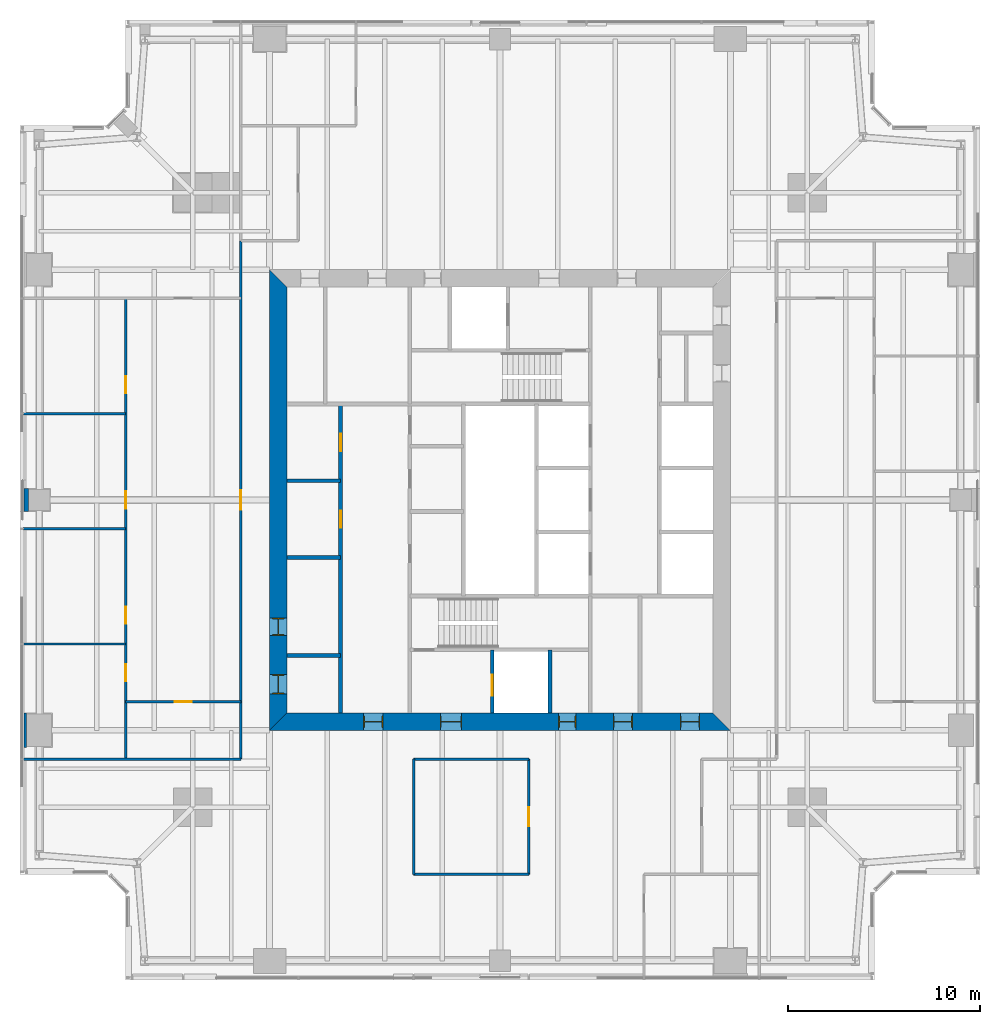
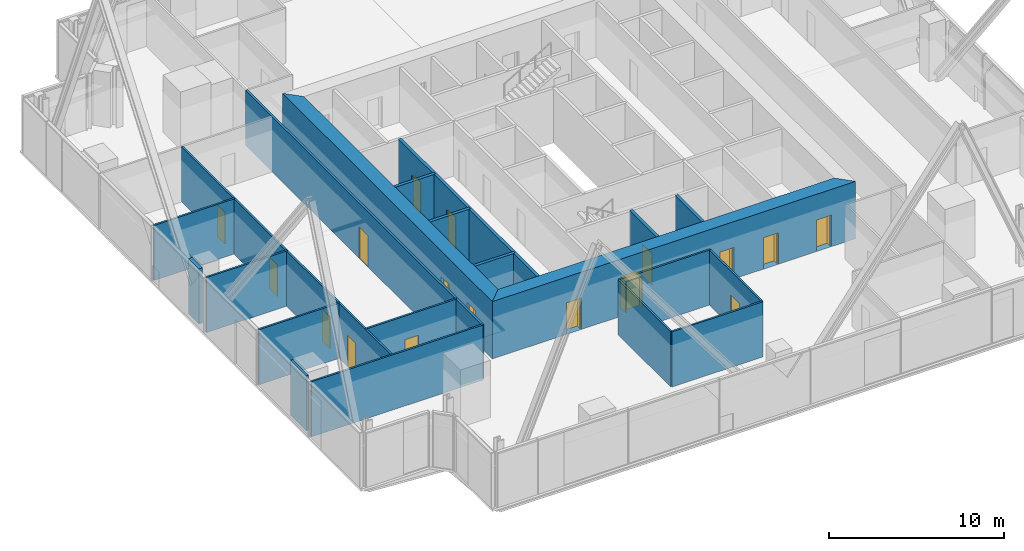
# One storey, part 9 of 14: 21 walls, 17 doors, 17 openings.
"""IFC4 building model written with IfcOpenShell, lengths in metres."""

from ifc_helpers import new_model, si_unit, direction, frame, frame_2d, origin, place, context, subcontext, project, spatial, polyline, rectangle, outline, extrude, material, layer, layer_set, type_object, element, fill, save


model = new_model("IFC4")

# Units and contexts
model_context = context("Model", 3, precision=1e-05, world=origin(), true_north=direction((0.0, 1.0)))
body_context = subcontext(model_context, "Body", "Model", "MODEL_VIEW")
ifc_project = project(units=[si_unit("LENGTHUNIT", "METRE"), si_unit("AREAUNIT", "SQUARE_METRE"), si_unit("VOLUMEUNIT", "CUBIC_METRE"), si_unit("PLANEANGLEUNIT", "RADIAN"), si_unit("MASSUNIT", "GRAM", prefix="KILO")], contexts=[model_context])

# Site, building, storey
site_placement = place(None, origin())
site = spatial("IfcSite", under=ifc_project, at=site_placement, CompositionType="ELEMENT")
building_placement = place(site_placement, origin())
building = spatial("IfcBuilding", under=site, at=building_placement, Name="Fenwick Lantern Interchange", CompositionType="ELEMENT")
storey_placement = place(building_placement, frame((0.0, 0.0, 217.800048828125)))
storey = spatial("IfcBuildingStorey", under=building, at=storey_placement, Name="L51", CompositionType="ELEMENT", Elevation=217.800048828125)

# Walls
ifc_material_1 = material(Name="Fire-rated gypsum board encasement on steel studs, 2 hour", Category="steel")
ifc_layer_1 = layer(ifc_material_1, 1.199951171875)
ifc_layer_set_1 = layer_set([ifc_layer_1], Name="COLUMN PIER 1200")
wall_type_1 = type_object("IfcWallType", Name="COLUMN PIER 1200", PredefinedType="PARTITIONING", material=ifc_layer_set_1)
wall_1_placement = place(storey_placement, frame((0.199951171875, 25.0, 0.0), z_axis=(0.0, 0.0, 1.0), x_axis=(1.0, 0.0, 0.0)))
element("IfcWall", 1, at=wall_1_placement, inside=storey, type_object=wall_type_1, Name="L51/W/PIER/CW3", PredefinedType="PARTITIONING", context=body_context, shape_type="SweptSolid", body=[
    extrude(rectangle(XDim=0.25, YDim=1.199951171875, at=frame_2d((0.125, 0.0))), origin(), (0.0, 0.0, 1.0), 3.849853515625),
])
ifc_layer_2 = layer(ifc_material_1, 1.800048828125)
ifc_layer_set_2 = layer_set([ifc_layer_2], Name="COLUMN PIER 1800")
wall_type_2 = type_object("IfcWallType", Name="COLUMN PIER 1800", PredefinedType="PARTITIONING", material=ifc_layer_set_2)
wall_2_placement = place(storey_placement, frame((0.199951171875, 13.0, 0.0), z_axis=(0.0, 0.0, 1.0), x_axis=(1.0, 0.0, 0.0)))
element("IfcWall", 2, at=wall_2_placement, inside=storey, type_object=wall_type_2, Name="L51/W/PIER/CW4", PredefinedType="PARTITIONING", context=body_context, shape_type="SweptSolid", body=[
    extrude(rectangle(XDim=0.150146484375, YDim=1.800048828125, at=frame_2d((0.0751953125, 0.0))), origin(), (0.0, 0.0, 1.0), 3.849853515625),
])

# Wall, openings, doors
ifc_material_2 = material(Name="Concrete masonry ASTM C90 Grade N", Category="masonry")
ifc_layer_3 = layer(ifc_material_2, 0.199951171875)
ifc_layer_set_3 = layer_set([ifc_layer_3], Name="Concrete masonry ASTM C90 Grade N")
wall_type_3 = type_object("IfcWallType", Name="CORE PARTITION 200", PredefinedType="PARTITIONING", material=ifc_layer_set_3)
wall_3_placement = place(storey_placement, frame((16.699951171875, 13.89990234375, 0.0), z_axis=(0.0, 0.0, 1.0), x_axis=(0.0, 1.0, 0.0)))
wall_3 = element("IfcWall", 3, at=wall_3_placement, inside=storey, type_object=wall_type_3, Name="L51/W/CORES/a", PredefinedType="PARTITIONING", context=body_context, shape_type="SweptSolid", body=[
    extrude(rectangle(XDim=16.10009765625, YDim=0.199951171875, at=frame_2d((8.050048828125, 0.0))), origin(), (0.0, 0.0, 1.0), 3.800048828125),
])
opening_1_placement = place(wall_3_placement, frame((9.64990234375, 0.0, 0.0)))
opening_1 = element("IfcOpeningElement", 4, at=opening_1_placement, cuts=wall_3, Name="Opening L51-D009", PredefinedType="OPENING", context=body_context, shape_type="SweptSolid", body=[
    extrude(rectangle(XDim=0.89990234375, YDim=2.199951171875, at=frame_2d((0.449951171875, 1.10009765625))), frame((0.0, 0.10986328125, 0.0), z_axis=(0.0, -1.0, 0.0), x_axis=(1.0, 0.0, 0.0)), (0.0, 0.0, 1.0), 0.219970703125),
])
opening_2_placement = place(wall_3_placement, frame((13.64990234375, 0.0, 0.0)))
opening_2 = element("IfcOpeningElement", 5, at=opening_2_placement, cuts=wall_3, Name="Opening L51-D010", PredefinedType="OPENING", context=body_context, shape_type="SweptSolid", body=[
    extrude(rectangle(XDim=0.89990234375, YDim=2.199951171875, at=frame_2d((0.449951171875, 1.10009765625))), frame((0.0, 0.10986328125, 0.0), z_axis=(0.0, -1.0, 0.0), x_axis=(1.0, 0.0, 0.0)), (0.0, 0.0, 1.0), 0.219970703125),
])
ifc_material_3 = material(Name="Steel door and frame", Category="steel")
door_type_1 = type_object("IfcDoorType", Name="SERVICE DOOR 900 X 2200", OperationType="SINGLE_SWING_LEFT", PredefinedType="DOOR", material=ifc_material_3)
door_1_placement = place(opening_1_placement, origin())
door_1 = element("IfcDoor", 6, at=door_1_placement, inside=storey, type_object=door_type_1, Name="Service door", OperationType="SINGLE_SWING_LEFT", OverallHeight=2.199951171875, OverallWidth=0.89990234375, PredefinedType="DOOR", context=body_context, shape_type="SweptSolid", body=[
    extrude(rectangle(XDim=0.89990234375, YDim=2.199951171875, at=frame_2d((0.449951171875, 1.10009765625))), frame((0.0, 0.02490234375, 0.0), z_axis=(0.0, -1.0, 0.0), x_axis=(1.0, 0.0, 0.0)), (0.0, 0.0, 1.0), 0.050048828125),
])
fill(opening_1, door_1)
door_2_placement = place(opening_2_placement, origin())
door_2 = element("IfcDoor", 7, at=door_2_placement, inside=storey, type_object=door_type_1, Name="Service door", OperationType="SINGLE_SWING_LEFT", OverallHeight=2.199951171875, OverallWidth=0.89990234375, PredefinedType="DOOR", context=body_context, shape_type="SweptSolid", body=[
    extrude(rectangle(XDim=0.89990234375, YDim=2.199951171875, at=frame_2d((0.449951171875, 1.10009765625))), frame((0.0, 0.02490234375, 0.0), z_axis=(0.0, -1.0, 0.0), x_axis=(1.0, 0.0, 0.0)), (0.0, 0.0, 1.0), 0.050048828125),
])
fill(opening_2, door_2)

# Wall, opening, door
wall_4_placement = place(storey_placement, frame((24.60009765625, 13.89990234375, 0.0), z_axis=(0.0, 0.0, 1.0), x_axis=(0.0, 1.0, 0.0)))
wall_4 = element("IfcWall", 8, at=wall_4_placement, inside=storey, type_object=wall_type_3, Name="L51/W/CORES/h1", PredefinedType="PARTITIONING", context=body_context, shape_type="SweptSolid", body=[
    extrude(rectangle(XDim=3.300048828125, YDim=0.199951171875, at=frame_2d((1.64990234375, 0.0))), origin(), (0.0, 0.0, 1.0), 3.800048828125),
])
opening_3_placement = place(wall_4_placement, frame((0.89990234375, 0.0, 0.0)))
opening_3 = element("IfcOpeningElement", 9, at=opening_3_placement, cuts=wall_4, Name="Opening LD-FL1", PredefinedType="OPENING", context=body_context, shape_type="SweptSolid", body=[
    extrude(rectangle(XDim=1.10009765625, YDim=2.199951171875, at=frame_2d((0.550048828125, 1.10009765625))), frame((0.0, 0.10986328125, 0.0), z_axis=(0.0, -1.0, 0.0), x_axis=(1.0, 0.0, 0.0)), (0.0, 0.0, 1.0), 0.219970703125),
])
door_type_2 = type_object("IfcDoorType", Name="LIFT LANDING DOOR 1100 X 2200", OperationType="DOUBLE_DOOR_SLIDING", PredefinedType="DOOR", material=ifc_material_3)
door_3_placement = place(opening_3_placement, origin())
door_3 = element("IfcDoor", 10, at=door_3_placement, inside=storey, type_object=door_type_2, Name="Lift landing door FL1", OperationType="DOUBLE_DOOR_SLIDING", OverallHeight=2.199951171875, OverallWidth=1.10009765625, PredefinedType="DOOR", context=body_context, shape_type="SweptSolid", body=[
    extrude(rectangle(XDim=1.10009765625, YDim=2.199951171875, at=frame_2d((0.550048828125, 1.10009765625))), frame((0.0, 0.02490234375, 0.0), z_axis=(0.0, -1.0, 0.0), x_axis=(1.0, 0.0, 0.0)), (0.0, 0.0, 1.0), 0.050048828125),
])
fill(opening_3, door_3)

# Walls
wall_5_placement = place(storey_placement, frame((27.60009765625, 13.89990234375, 0.0), z_axis=(0.0, 0.0, 1.0), x_axis=(0.0, 1.0, 0.0)))
element("IfcWall", 11, at=wall_5_placement, inside=storey, type_object=wall_type_3, Name="L51/W/CORES/h2", PredefinedType="PARTITIONING", context=body_context, shape_type="SweptSolid", body=[
    extrude(rectangle(XDim=3.300048828125, YDim=0.199951171875, at=frame_2d((1.64990234375, 0.0))), origin(), (0.0, 0.0, 1.0), 3.800048828125),
])
for number, where, z_axis, x_axis, name in (
    (12, (13.89990234375, 16.89990234375, 0.0), (0.0, 0.0, 1.0), (1.0, 0.0, 0.0), "L51/W/CORES/p1"),
    (13, (13.89990234375, 22.0, 0.0), (0.0, 0.0, 1.0), (1.0, 0.0, 0.0), "L51/W/CORES/p2"),
    (14, (13.89990234375, 26.0, 0.0), (0.0, 0.0, 1.0), (1.0, 0.0, 0.0), "L51/W/CORES/p3"),
):
    element("IfcWall", number, at=place(storey_placement, frame(where, z_axis=z_axis, x_axis=x_axis)), inside=storey, type_object=wall_type_3, Name=name, PredefinedType="PARTITIONING", context=body_context, shape_type="SweptSolid", body=[
        extrude(rectangle(XDim=2.800048828125, YDim=0.199951171875, at=frame_2d((1.39990234375, 0.0))), origin(), (0.0, 0.0, 1.0), 3.800048828125),
    ])

# Wall, openings, doors
ifc_material_4 = material(Name="Concrete f'c 70 MPa", Category="concrete")
ifc_layer_4 = layer(ifc_material_4, 0.89990234375)
ifc_layer_set_4 = layer_set([ifc_layer_4], Name="CORE WALL 900")
wall_type_4 = type_object("IfcWallType", Name="CORE WALL 900", PredefinedType="SHEAR", material=ifc_layer_set_4)
wall_6_placement = place(storey_placement, frame((13.0, 13.449951171875, 0.0), z_axis=(0.0, 0.0, 1.0), x_axis=(1.0, 0.0, 0.0)))
wall_6 = element("IfcWall", 15, at=wall_6_placement, inside=storey, type_object=wall_type_4, Name="L51/CORE/S", PredefinedType="SHEAR", context=body_context, shape_type="SweptSolid", body=[
    extrude(outline(polyline([(0.0, -0.449951171875), (24.0, -0.449951171875), (23.10009765625, 0.449951171875), (0.89990234375, 0.449951171875), (0.0, -0.449951171875)])), origin(), (0.0, 0.0, 1.0), 4.0),
])
opening_4_placement = place(wall_6_placement, frame((4.89990234375, 0.0, 0.0)))
opening_4 = element("IfcOpeningElement", 16, at=opening_4_placement, cuts=wall_6, Name="Opening L51-D001", PredefinedType="OPENING", context=body_context, shape_type="SweptSolid", body=[
    extrude(rectangle(XDim=1.0, YDim=2.199951171875, at=frame_2d((0.5, 1.10009765625))), frame((0.0, 0.4599609375, 0.0), z_axis=(0.0, -1.0, 0.0), x_axis=(1.0, 0.0, 0.0)), (0.0, 0.0, 1.0), 0.919921875),
])
opening_5_placement = place(wall_6_placement, frame((8.89990234375, 0.0, 0.0)))
opening_5 = element("IfcOpeningElement", 17, at=opening_5_placement, cuts=wall_6, Name="Opening L51-D002", PredefinedType="OPENING", context=body_context, shape_type="SweptSolid", body=[
    extrude(rectangle(XDim=1.10009765625, YDim=2.199951171875, at=frame_2d((0.550048828125, 1.10009765625))), frame((0.0, 0.4599609375, 0.0), z_axis=(0.0, -1.0, 0.0), x_axis=(1.0, 0.0, 0.0)), (0.0, 0.0, 1.0), 0.919921875),
])
opening_6_placement = place(wall_6_placement, frame((15.050048828125, 0.0, 0.0)))
opening_6 = element("IfcOpeningElement", 18, at=opening_6_placement, cuts=wall_6, Name="Opening L51-D004", PredefinedType="OPENING", context=body_context, shape_type="SweptSolid", body=[
    extrude(rectangle(XDim=0.89990234375, YDim=2.199951171875, at=frame_2d((0.449951171875, 1.10009765625))), frame((0.0, 0.4599609375, 0.0), z_axis=(0.0, -1.0, 0.0), x_axis=(1.0, 0.0, 0.0)), (0.0, 0.0, 1.0), 0.919921875),
])
opening_7_placement = place(wall_6_placement, frame((17.89990234375, 0.0, 0.0)))
opening_7 = element("IfcOpeningElement", 19, at=opening_7_placement, cuts=wall_6, Name="Opening L51-D005", PredefinedType="OPENING", context=body_context, shape_type="SweptSolid", body=[
    extrude(rectangle(XDim=1.0, YDim=2.199951171875, at=frame_2d((0.5, 1.10009765625))), frame((0.0, 0.4599609375, 0.0), z_axis=(0.0, -1.0, 0.0), x_axis=(1.0, 0.0, 0.0)), (0.0, 0.0, 1.0), 0.919921875),
])
opening_8_placement = place(wall_6_placement, frame((21.39990234375, 0.0, 0.0)))
opening_8 = element("IfcOpeningElement", 20, at=opening_8_placement, cuts=wall_6, Name="Opening L51-D006", PredefinedType="OPENING", context=body_context, shape_type="SweptSolid", body=[
    extrude(rectangle(XDim=1.0, YDim=2.199951171875, at=frame_2d((0.5, 1.10009765625))), frame((0.0, 0.4599609375, 0.0), z_axis=(0.0, -1.0, 0.0), x_axis=(1.0, 0.0, 0.0)), (0.0, 0.0, 1.0), 0.919921875),
])
door_type_3 = type_object("IfcDoorType", Name="CORE LOBBY DOOR 1000 X 2200", OperationType="SINGLE_SWING_LEFT", PredefinedType="DOOR", material=ifc_material_3)
door_4_placement = place(opening_4_placement, origin())
door_4 = element("IfcDoor", 21, at=door_4_placement, inside=storey, type_object=door_type_3, Name="Core lobby door", OperationType="SINGLE_SWING_LEFT", OverallHeight=2.199951171875, OverallWidth=1.0, PredefinedType="DOOR", context=body_context, shape_type="SweptSolid", body=[
    extrude(rectangle(XDim=1.0, YDim=2.199951171875, at=frame_2d((0.5, 1.10009765625))), frame((0.0, 0.02490234375, 0.0), z_axis=(0.0, -1.0, 0.0), x_axis=(1.0, 0.0, 0.0)), (0.0, 0.0, 1.0), 0.050048828125),
    extrude(outline(polyline([(0.0, 0.0), (0.0400390625, 0.0), (0.0400390625, 2.159912109375), (0.9599609375, 2.159912109375), (0.9599609375, 0.0), (1.0, 0.0), (1.0, 2.199951171875), (0.0, 2.199951171875), (0.0, 0.0)])), frame((0.0, 0.300048828125, 0.0), z_axis=(0.0, -1.0, 0.0), x_axis=(1.0, 0.0, 0.0)), (0.0, 0.0, 1.0), 0.60009765625),
])
fill(opening_4, door_4)
door_type_4 = type_object("IfcDoorType", Name="FIRE LOBBY DOOR 1100 X 2200", OperationType="SINGLE_SWING_LEFT", PredefinedType="DOOR", material=ifc_material_3)
door_5_placement = place(opening_5_placement, origin())
door_5 = element("IfcDoor", 22, at=door_5_placement, inside=storey, type_object=door_type_4, Name="Fire lobby door", OperationType="SINGLE_SWING_LEFT", OverallHeight=2.199951171875, OverallWidth=1.10009765625, PredefinedType="DOOR", context=body_context, shape_type="SweptSolid", body=[
    extrude(rectangle(XDim=1.10009765625, YDim=2.199951171875, at=frame_2d((0.550048828125, 1.10009765625))), frame((0.0, 0.02490234375, 0.0), z_axis=(0.0, -1.0, 0.0), x_axis=(1.0, 0.0, 0.0)), (0.0, 0.0, 1.0), 0.050048828125),
    extrude(outline(polyline([(0.0, 0.0), (0.0400390625, 0.0), (0.0400390625, 2.159912109375), (1.06005859375, 2.159912109375), (1.06005859375, 0.0), (1.10009765625, 0.0), (1.10009765625, 2.199951171875), (0.0, 2.199951171875), (0.0, 0.0)])), frame((0.0, 0.300048828125, 0.0), z_axis=(0.0, -1.0, 0.0), x_axis=(1.0, 0.0, 0.0)), (0.0, 0.0, 1.0), 0.60009765625),
])
fill(opening_5, door_5)
door_6_placement = place(opening_6_placement, origin())
door_6 = element("IfcDoor", 23, at=door_6_placement, inside=storey, type_object=door_type_1, Name="Service door", OperationType="SINGLE_SWING_LEFT", OverallHeight=2.199951171875, OverallWidth=0.89990234375, PredefinedType="DOOR", context=body_context, shape_type="SweptSolid", body=[
    extrude(rectangle(XDim=0.89990234375, YDim=2.199951171875, at=frame_2d((0.449951171875, 1.10009765625))), frame((0.0, 0.02490234375, 0.0), z_axis=(0.0, -1.0, 0.0), x_axis=(1.0, 0.0, 0.0)), (0.0, 0.0, 1.0), 0.050048828125),
    extrude(outline(polyline([(0.0, 0.0), (0.0400390625, 0.0), (0.0400390625, 2.159912109375), (0.85986328125, 2.159912109375), (0.85986328125, 0.0), (0.89990234375, 0.0), (0.89990234375, 2.199951171875), (0.0, 2.199951171875), (0.0, 0.0)])), frame((0.0, 0.300048828125, 0.0), z_axis=(0.0, -1.0, 0.0), x_axis=(1.0, 0.0, 0.0)), (0.0, 0.0, 1.0), 0.60009765625),
])
fill(opening_6, door_6)
ifc_material_5 = material(Name="Hardwood door and steel frame", Category="steel")
door_type_5 = type_object("IfcDoorType", Name="WC DOOR 1000 X 2200", OperationType="SINGLE_SWING_LEFT", PredefinedType="DOOR", material=ifc_material_5)
door_7_placement = place(opening_7_placement, origin())
door_7 = element("IfcDoor", 24, at=door_7_placement, inside=storey, type_object=door_type_5, Name="Wc door", OperationType="SINGLE_SWING_RIGHT", OverallHeight=2.199951171875, OverallWidth=1.0, PredefinedType="DOOR", context=body_context, shape_type="SweptSolid", body=[
    extrude(rectangle(XDim=1.0, YDim=2.199951171875, at=frame_2d((0.5, 1.10009765625))), frame((0.0, 0.02490234375, 0.0), z_axis=(0.0, -1.0, 0.0), x_axis=(1.0, 0.0, 0.0)), (0.0, 0.0, 1.0), 0.050048828125),
    extrude(outline(polyline([(0.0, 0.0), (0.0400390625, 0.0), (0.0400390625, 2.159912109375), (0.9599609375, 2.159912109375), (0.9599609375, 0.0), (1.0, 0.0), (1.0, 2.199951171875), (0.0, 2.199951171875), (0.0, 0.0)])), frame((0.0, 0.300048828125, 0.0), z_axis=(0.0, -1.0, 0.0), x_axis=(1.0, 0.0, 0.0)), (0.0, 0.0, 1.0), 0.60009765625),
])
fill(opening_7, door_7)
door_8_placement = place(opening_8_placement, origin())
door_8 = element("IfcDoor", 25, at=door_8_placement, inside=storey, type_object=door_type_5, Name="Wc door", OperationType="SINGLE_SWING_RIGHT", OverallHeight=2.199951171875, OverallWidth=1.0, PredefinedType="DOOR", context=body_context, shape_type="SweptSolid", body=[
    extrude(rectangle(XDim=1.0, YDim=2.199951171875, at=frame_2d((0.5, 1.10009765625))), frame((0.0, 0.02490234375, 0.0), z_axis=(0.0, -1.0, 0.0), x_axis=(1.0, 0.0, 0.0)), (0.0, 0.0, 1.0), 0.050048828125),
    extrude(outline(polyline([(0.0, 0.0), (0.0400390625, 0.0), (0.0400390625, 2.159912109375), (0.9599609375, 2.159912109375), (0.9599609375, 0.0), (1.0, 0.0), (1.0, 2.199951171875), (0.0, 2.199951171875), (0.0, 0.0)])), frame((0.0, 0.300048828125, 0.0), z_axis=(0.0, -1.0, 0.0), x_axis=(1.0, 0.0, 0.0)), (0.0, 0.0, 1.0), 0.60009765625),
])
fill(opening_8, door_8)

wall_7_placement = place(storey_placement, frame((13.449951171875, 36.10009765625, 0.0), z_axis=(0.0, 0.0, 1.0), x_axis=(0.0, -1.0, 0.0)))
wall_7 = element("IfcWall", 26, at=wall_7_placement, inside=storey, type_object=wall_type_4, Name="L51/CORE/W", PredefinedType="SHEAR", context=body_context, shape_type="SweptSolid", body=[
    extrude(outline(polyline([(-0.89990234375, -0.449951171875), (23.10009765625, -0.449951171875), (22.199951171875, 0.449951171875), (0.0, 0.449951171875), (-0.89990234375, -0.449951171875)])), origin(), (0.0, 0.0, 1.0), 4.0),
])
opening_9_placement = place(wall_7_placement, frame((20.199951171875, 0.0, 0.0)))
opening_9 = element("IfcOpeningElement", 27, at=opening_9_placement, cuts=wall_7, Name="Opening L51-D007", PredefinedType="OPENING", context=body_context, shape_type="SweptSolid", body=[
    extrude(rectangle(XDim=1.0, YDim=2.199951171875, at=frame_2d((0.5, 1.10009765625))), frame((0.0, 0.4599609375, 0.0), z_axis=(0.0, -1.0, 0.0), x_axis=(1.0, 0.0, 0.0)), (0.0, 0.0, 1.0), 0.919921875),
])
opening_10_placement = place(wall_7_placement, frame((17.25, 0.0, 0.0)))
opening_10 = element("IfcOpeningElement", 28, at=opening_10_placement, cuts=wall_7, Name="Opening L51-D008", PredefinedType="OPENING", context=body_context, shape_type="SweptSolid", body=[
    extrude(rectangle(XDim=0.89990234375, YDim=2.199951171875, at=frame_2d((0.449951171875, 1.10009765625))), frame((0.0, 0.4599609375, 0.0), z_axis=(0.0, -1.0, 0.0), x_axis=(1.0, 0.0, 0.0)), (0.0, 0.0, 1.0), 0.919921875),
])
door_9_placement = place(opening_10_placement, origin())
door_9 = element("IfcDoor", 29, at=door_9_placement, inside=storey, type_object=door_type_1, Name="Service door", OperationType="SINGLE_SWING_RIGHT", OverallHeight=2.199951171875, OverallWidth=0.89990234375, PredefinedType="DOOR", context=body_context, shape_type="SweptSolid", body=[
    extrude(rectangle(XDim=0.89990234375, YDim=2.199951171875, at=frame_2d((0.449951171875, 1.10009765625))), frame((0.0, 0.02490234375, 0.0), z_axis=(0.0, -1.0, 0.0), x_axis=(1.0, 0.0, 0.0)), (0.0, 0.0, 1.0), 0.050048828125),
    extrude(outline(polyline([(0.0, 0.0), (0.0400390625, 0.0), (0.0400390625, 2.159912109375), (0.85986328125, 2.159912109375), (0.85986328125, 0.0), (0.89990234375, 0.0), (0.89990234375, 2.199951171875), (0.0, 2.199951171875), (0.0, 0.0)])), frame((0.0, 0.300048828125, 0.0), z_axis=(0.0, -1.0, 0.0), x_axis=(1.0, 0.0, 0.0)), (0.0, 0.0, 1.0), 0.60009765625),
])
fill(opening_10, door_9)
door_10_placement = place(opening_9_placement, origin())
door_10 = element("IfcDoor", 30, at=door_10_placement, inside=storey, type_object=door_type_5, Name="Wc door", OperationType="SINGLE_SWING_LEFT", OverallHeight=2.199951171875, OverallWidth=1.0, PredefinedType="DOOR", context=body_context, shape_type="SweptSolid", body=[
    extrude(rectangle(XDim=1.0, YDim=2.199951171875, at=frame_2d((0.5, 1.10009765625))), frame((0.0, 0.02490234375, 0.0), z_axis=(0.0, -1.0, 0.0), x_axis=(1.0, 0.0, 0.0)), (0.0, 0.0, 1.0), 0.050048828125),
    extrude(outline(polyline([(0.0, 0.0), (0.0400390625, 0.0), (0.0400390625, 2.159912109375), (0.9599609375, 2.159912109375), (0.9599609375, 0.0), (1.0, 0.0), (1.0, 2.199951171875), (0.0, 2.199951171875), (0.0, 0.0)])), frame((0.0, 0.300048828125, 0.0), z_axis=(0.0, -1.0, 0.0), x_axis=(1.0, 0.0, 0.0)), (0.0, 0.0, 1.0), 0.60009765625),
])
fill(opening_9, door_10)

# Wall, opening, door
ifc_material_6 = material(Name="Gypsum board on steel studs, 1 hour", Category="steel")
ifc_layer_5 = layer(ifc_material_6, 0.14990234375)
ifc_layer_set_5 = layer_set([ifc_layer_5], Name="CORRIDOR WALL 150")
wall_type_5 = type_object("IfcWallType", Name="CORRIDOR WALL 150", PredefinedType="PARTITIONING", material=ifc_layer_set_5)
wall_8_placement = place(storey_placement, frame((11.5, 38.5, 0.0), z_axis=(0.0, 0.0, 1.0), x_axis=(0.0, -1.0, 0.0)))
wall_8 = element("IfcWall", 31, at=wall_8_placement, inside=storey, type_object=wall_type_5, Name="L51/W/OFF/W/CW", PredefinedType="PARTITIONING", context=body_context, shape_type="SweptSolid", body=[
    extrude(rectangle(XDim=27.0, YDim=0.14990234375, at=frame_2d((13.5, 0.0))), origin(), (0.0, 0.0, 1.0), 3.849853515625),
])
opening_11_placement = place(wall_8_placement, frame((13.0, 0.0, 0.0)))
opening_11 = element("IfcOpeningElement", 32, at=opening_11_placement, cuts=wall_8, Name="Opening L51-D034", PredefinedType="OPENING", context=body_context, shape_type="SweptSolid", body=[
    extrude(rectangle(XDim=1.0, YDim=2.199951171875, at=frame_2d((0.5, 1.10009765625))), frame((0.0, 0.0849609375, 0.0), z_axis=(0.0, -1.0, 0.0), x_axis=(1.0, 0.0, 0.0)), (0.0, 0.0, 1.0), 0.169921875),
])
door_type_6 = type_object("IfcDoorType", Name="SUITE ENTRANCE DOOR 1000 X 2200", OperationType="SINGLE_SWING_LEFT", PredefinedType="DOOR", material=ifc_material_3)
door_11_placement = place(opening_11_placement, frame((1.0, 0.0, 0.0), z_axis=(0.0, 0.0, 1.0), x_axis=(-1.0, 0.0, 0.0)))
door_11 = element("IfcDoor", 33, at=door_11_placement, inside=storey, type_object=door_type_6, Name="Suite entrance door", OperationType="SINGLE_SWING_RIGHT", OverallHeight=2.199951171875, OverallWidth=1.0, PredefinedType="DOOR", context=body_context, shape_type="SweptSolid", body=[
    extrude(rectangle(XDim=1.0, YDim=2.199951171875, at=frame_2d((0.5, 1.10009765625))), frame((0.0, 0.02490234375, 0.0), z_axis=(0.0, -1.0, 0.0), x_axis=(1.0, 0.0, 0.0)), (0.0, 0.0, 1.0), 0.050048828125),
])
fill(opening_11, door_11)

# Walls
ifc_material_7 = material(Name="Gypsum board on steel studs, acoustic", Category="steel")
ifc_layer_6 = layer(ifc_material_7, 0.125)
ifc_layer_set_6 = layer_set([ifc_layer_6], Name="OFFICE PARTITION 125")
wall_type_6 = type_object("IfcWallType", Name="OFFICE PARTITION 125", PredefinedType="PARTITIONING", material=ifc_layer_set_6)
wall_9_placement = place(storey_placement, frame((0.14990234375, 11.5, 0.0), z_axis=(0.0, 0.0, 1.0), x_axis=(1.0, 0.0, 0.0)))
element("IfcWall", 34, at=wall_9_placement, inside=storey, type_object=wall_type_6, Name="L51/W/OFF/S/BACK", PredefinedType="PARTITIONING", context=body_context, shape_type="SweptSolid", body=[
    extrude(rectangle(XDim=11.35009765625, YDim=0.125, at=frame_2d((5.675048828125, 0.0))), origin(), (0.0, 0.0, 1.0), 3.849853515625),
])
wall_10_placement = place(storey_placement, frame((20.5, 5.5, 0.0), z_axis=(0.0, 0.0, 1.0), x_axis=(0.0, 1.0, 0.0)))
element("IfcWall", 35, at=wall_10_placement, inside=storey, type_object=wall_type_6, Name="L51/W/OFF/S/X205-1", PredefinedType="PARTITIONING", context=body_context, shape_type="SweptSolid", body=[
    extrude(rectangle(XDim=6.0, YDim=0.125, at=frame_2d((3.0, 0.0))), origin(), (0.0, 0.0, 1.0), 3.849853515625),
])

# Wall, opening, door
wall_11_placement = place(storey_placement, frame((26.5, 5.5, 0.0), z_axis=(0.0, 0.0, 1.0), x_axis=(0.0, 1.0, 0.0)))
wall_11 = element("IfcWall", 36, at=wall_11_placement, inside=storey, type_object=wall_type_6, Name="L51/W/OFF/S/X265-1", PredefinedType="PARTITIONING", context=body_context, shape_type="SweptSolid", body=[
    extrude(rectangle(XDim=6.0, YDim=0.125, at=frame_2d((3.0, 0.0))), origin(), (0.0, 0.0, 1.0), 3.849853515625),
])
opening_12_placement = place(wall_11_placement, frame((2.5, 0.0, 0.0)))
opening_12 = element("IfcOpeningElement", 37, at=opening_12_placement, cuts=wall_11, Name="Opening L51-D023", PredefinedType="OPENING", context=body_context, shape_type="SweptSolid", body=[
    extrude(rectangle(XDim=1.0, YDim=2.199951171875, at=frame_2d((0.5, 1.10009765625))), frame((0.0, 0.072509765625, 0.0), z_axis=(0.0, -1.0, 0.0), x_axis=(1.0, 0.0, 0.0)), (0.0, 0.0, 1.0), 0.14501953125),
])
door_type_7 = type_object("IfcDoorType", Name="MEETING ROOM DOOR 1000 X 2200", OperationType="SINGLE_SWING_LEFT", PredefinedType="DOOR", material=ifc_material_5)
door_12_placement = place(opening_12_placement, origin())
door_12 = element("IfcDoor", 38, at=door_12_placement, inside=storey, type_object=door_type_7, Name="Meeting room door", OperationType="SINGLE_SWING_LEFT", OverallHeight=2.199951171875, OverallWidth=1.0, PredefinedType="DOOR", context=body_context, shape_type="SweptSolid", body=[
    extrude(rectangle(XDim=1.0, YDim=2.199951171875, at=frame_2d((0.5, 1.10009765625))), frame((0.0, 0.02490234375, 0.0), z_axis=(0.0, -1.0, 0.0), x_axis=(1.0, 0.0, 0.0)), (0.0, 0.0, 1.0), 0.050048828125),
])
fill(opening_12, door_12)

# Walls
for number, where, z_axis, x_axis, name in (
    (39, (20.5, 5.5, 0.0), (0.0, 0.0, 1.0), (1.0, 0.0, 0.0), "L51/W/OFF/S/Y55-1"),
    (40, (20.5, 11.5, 0.0), (0.0, 0.0, 1.0), (1.0, 0.0, 0.0), "L51/W/OFF/S/CWS1"),
):
    element("IfcWall", number, at=place(storey_placement, frame(where, z_axis=z_axis, x_axis=x_axis)), inside=storey, type_object=wall_type_6, Name=name, PredefinedType="PARTITIONING", context=body_context, shape_type="SweptSolid", body=[
        extrude(rectangle(XDim=6.0, YDim=0.125, at=frame_2d((3.0, 0.0))), origin(), (0.0, 0.0, 1.0), 3.849853515625),
    ])
for number, where, z_axis, x_axis, name in (
    (41, (0.14990234375, 29.5, 0.0), (0.0, 0.0, 1.0), (1.0, 0.0, 0.0), "L51/W/OFF/W/X205-1"),
    (42, (0.14990234375, 23.5, 0.0), (0.0, 0.0, 1.0), (1.0, 0.0, 0.0), "L51/W/OFF/W/X265-1"),
    (43, (0.14990234375, 17.5, 0.0), (0.0, 0.0, 1.0), (1.0, 0.0, 0.0), "L51/W/OFF/W/X325-1"),
):
    element("IfcWall", number, at=place(storey_placement, frame(where, z_axis=z_axis, x_axis=x_axis)), inside=storey, type_object=wall_type_6, Name=name, PredefinedType="PARTITIONING", context=body_context, shape_type="SweptSolid", body=[
        extrude(rectangle(XDim=5.35009765625, YDim=0.125, at=frame_2d((2.675048828125, 0.0))), origin(), (0.0, 0.0, 1.0), 3.849853515625),
    ])

# Wall, opening, door
wall_12_placement = place(storey_placement, frame((5.5, 14.5, 0.0), z_axis=(0.0, 0.0, 1.0), x_axis=(1.0, 0.0, 0.0)))
wall_12 = element("IfcWall", 44, at=wall_12_placement, inside=storey, type_object=wall_type_6, Name="L51/W/OFF/W/X355-1", PredefinedType="PARTITIONING", context=body_context, shape_type="SweptSolid", body=[
    extrude(rectangle(XDim=6.0, YDim=0.125, at=frame_2d((3.0, 0.0))), origin(), (0.0, 0.0, 1.0), 3.849853515625),
])
opening_13_placement = place(wall_12_placement, frame((2.550048828125, 0.0, 0.0)))
opening_13 = element("IfcOpeningElement", 45, at=opening_13_placement, cuts=wall_12, Name="Opening L51-D040", PredefinedType="OPENING", context=body_context, shape_type="SweptSolid", body=[
    extrude(rectangle(XDim=0.89990234375, YDim=2.199951171875, at=frame_2d((0.449951171875, 1.10009765625))), frame((0.0, 0.072509765625, 0.0), z_axis=(0.0, -1.0, 0.0), x_axis=(1.0, 0.0, 0.0)), (0.0, 0.0, 1.0), 0.14501953125),
])
door_type_8 = type_object("IfcDoorType", Name="OFFICE DOOR 900 X 2200", OperationType="SINGLE_SWING_LEFT", PredefinedType="DOOR", material=ifc_material_5)
door_13_placement = place(opening_13_placement, frame((0.89990234375, 0.0, 0.0), z_axis=(0.0, 0.0, 1.0), x_axis=(-1.0, 0.0, 0.0)))
door_13 = element("IfcDoor", 46, at=door_13_placement, inside=storey, type_object=door_type_8, Name="Office door", OperationType="SINGLE_SWING_RIGHT", OverallHeight=2.199951171875, OverallWidth=0.89990234375, PredefinedType="DOOR", context=body_context, shape_type="SweptSolid", body=[
    extrude(rectangle(XDim=0.89990234375, YDim=2.199951171875, at=frame_2d((0.449951171875, 1.10009765625))), frame((0.0, 0.02490234375, 0.0), z_axis=(0.0, -1.0, 0.0), x_axis=(1.0, 0.0, 0.0)), (0.0, 0.0, 1.0), 0.050048828125),
])
fill(opening_13, door_13)

# Wall, openings, doors
wall_13_placement = place(storey_placement, frame((5.5, 35.5, 0.0), z_axis=(0.0, 0.0, 1.0), x_axis=(0.0, -1.0, 0.0)))
wall_13 = element("IfcWall", 47, at=wall_13_placement, inside=storey, type_object=wall_type_6, Name="L51/W/OFF/W/Y55-1", PredefinedType="PARTITIONING", context=body_context, shape_type="SweptSolid", body=[
    extrude(rectangle(XDim=24.0, YDim=0.125, at=frame_2d((12.0, 0.0))), origin(), (0.0, 0.0, 1.0), 3.849853515625),
])
opening_14_placement = place(wall_13_placement, frame((4.050048828125, 0.0, 0.0)))
opening_14 = element("IfcOpeningElement", 48, at=opening_14_placement, cuts=wall_13, Name="Opening L51-D036", PredefinedType="OPENING", context=body_context, shape_type="SweptSolid", body=[
    extrude(rectangle(XDim=0.89990234375, YDim=2.199951171875, at=frame_2d((0.449951171875, 1.10009765625))), frame((0.0, 0.072509765625, 0.0), z_axis=(0.0, -1.0, 0.0), x_axis=(1.0, 0.0, 0.0)), (0.0, 0.0, 1.0), 0.14501953125),
])
opening_15_placement = place(wall_13_placement, frame((10.050048828125, 0.0, 0.0)))
opening_15 = element("IfcOpeningElement", 49, at=opening_15_placement, cuts=wall_13, Name="Opening L51-D037", PredefinedType="OPENING", context=body_context, shape_type="SweptSolid", body=[
    extrude(rectangle(XDim=0.89990234375, YDim=2.199951171875, at=frame_2d((0.449951171875, 1.10009765625))), frame((0.0, 0.072509765625, 0.0), z_axis=(0.0, -1.0, 0.0), x_axis=(1.0, 0.0, 0.0)), (0.0, 0.0, 1.0), 0.14501953125),
])
opening_16_placement = place(wall_13_placement, frame((16.050048828125, 0.0, 0.0)))
opening_16 = element("IfcOpeningElement", 50, at=opening_16_placement, cuts=wall_13, Name="Opening L51-D038", PredefinedType="OPENING", context=body_context, shape_type="SweptSolid", body=[
    extrude(rectangle(XDim=0.89990234375, YDim=2.199951171875, at=frame_2d((0.449951171875, 1.10009765625))), frame((0.0, 0.072509765625, 0.0), z_axis=(0.0, -1.0, 0.0), x_axis=(1.0, 0.0, 0.0)), (0.0, 0.0, 1.0), 0.14501953125),
])
opening_17_placement = place(wall_13_placement, frame((19.050048828125, 0.0, 0.0)))
opening_17 = element("IfcOpeningElement", 51, at=opening_17_placement, cuts=wall_13, Name="Opening L51-D039", PredefinedType="OPENING", context=body_context, shape_type="SweptSolid", body=[
    extrude(rectangle(XDim=0.89990234375, YDim=2.199951171875, at=frame_2d((0.449951171875, 1.10009765625))), frame((0.0, 0.072509765625, 0.0), z_axis=(0.0, -1.0, 0.0), x_axis=(1.0, 0.0, 0.0)), (0.0, 0.0, 1.0), 0.14501953125),
])
door_14_placement = place(opening_14_placement, frame((0.89990234375, 0.0, 0.0), z_axis=(0.0, 0.0, 1.0), x_axis=(-1.0, 0.0, 0.0)))
door_14 = element("IfcDoor", 52, at=door_14_placement, inside=storey, type_object=door_type_8, Name="Office door", OperationType="SINGLE_SWING_LEFT", OverallHeight=2.199951171875, OverallWidth=0.89990234375, PredefinedType="DOOR", context=body_context, shape_type="SweptSolid", body=[
    extrude(rectangle(XDim=0.89990234375, YDim=2.199951171875, at=frame_2d((0.449951171875, 1.10009765625))), frame((0.0, 0.02490234375, 0.0), z_axis=(0.0, -1.0, 0.0), x_axis=(1.0, 0.0, 0.0)), (0.0, 0.0, 1.0), 0.050048828125),
])
fill(opening_14, door_14)
door_15_placement = place(opening_15_placement, frame((0.89990234375, 0.0, 0.0), z_axis=(0.0, 0.0, 1.0), x_axis=(-1.0, 0.0, 0.0)))
door_15 = element("IfcDoor", 53, at=door_15_placement, inside=storey, type_object=door_type_8, Name="Office door", OperationType="SINGLE_SWING_LEFT", OverallHeight=2.199951171875, OverallWidth=0.89990234375, PredefinedType="DOOR", context=body_context, shape_type="SweptSolid", body=[
    extrude(rectangle(XDim=0.89990234375, YDim=2.199951171875, at=frame_2d((0.449951171875, 1.10009765625))), frame((0.0, 0.02490234375, 0.0), z_axis=(0.0, -1.0, 0.0), x_axis=(1.0, 0.0, 0.0)), (0.0, 0.0, 1.0), 0.050048828125),
])
fill(opening_15, door_15)
door_16_placement = place(opening_16_placement, frame((0.89990234375, 0.0, 0.0), z_axis=(0.0, 0.0, 1.0), x_axis=(-1.0, 0.0, 0.0)))
door_16 = element("IfcDoor", 54, at=door_16_placement, inside=storey, type_object=door_type_8, Name="Office door", OperationType="SINGLE_SWING_LEFT", OverallHeight=2.199951171875, OverallWidth=0.89990234375, PredefinedType="DOOR", context=body_context, shape_type="SweptSolid", body=[
    extrude(rectangle(XDim=0.89990234375, YDim=2.199951171875, at=frame_2d((0.449951171875, 1.10009765625))), frame((0.0, 0.02490234375, 0.0), z_axis=(0.0, -1.0, 0.0), x_axis=(1.0, 0.0, 0.0)), (0.0, 0.0, 1.0), 0.050048828125),
])
fill(opening_16, door_16)
door_17_placement = place(opening_17_placement, frame((0.89990234375, 0.0, 0.0), z_axis=(0.0, 0.0, 1.0), x_axis=(-1.0, 0.0, 0.0)))
door_17 = element("IfcDoor", 55, at=door_17_placement, inside=storey, type_object=door_type_8, Name="Office door", OperationType="SINGLE_SWING_RIGHT", OverallHeight=2.199951171875, OverallWidth=0.89990234375, PredefinedType="DOOR", context=body_context, shape_type="SweptSolid", body=[
    extrude(rectangle(XDim=0.89990234375, YDim=2.199951171875, at=frame_2d((0.449951171875, 1.10009765625))), frame((0.0, 0.02490234375, 0.0), z_axis=(0.0, -1.0, 0.0), x_axis=(1.0, 0.0, 0.0)), (0.0, 0.0, 1.0), 0.050048828125),
])
fill(opening_17, door_17)

save(model, "model.ifc")
